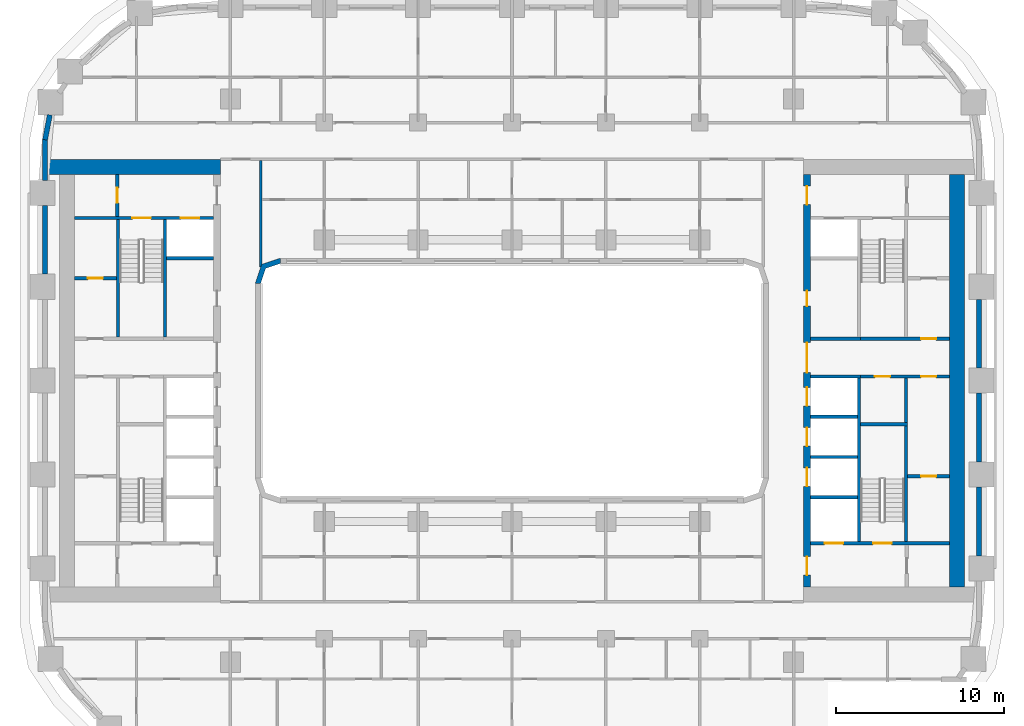
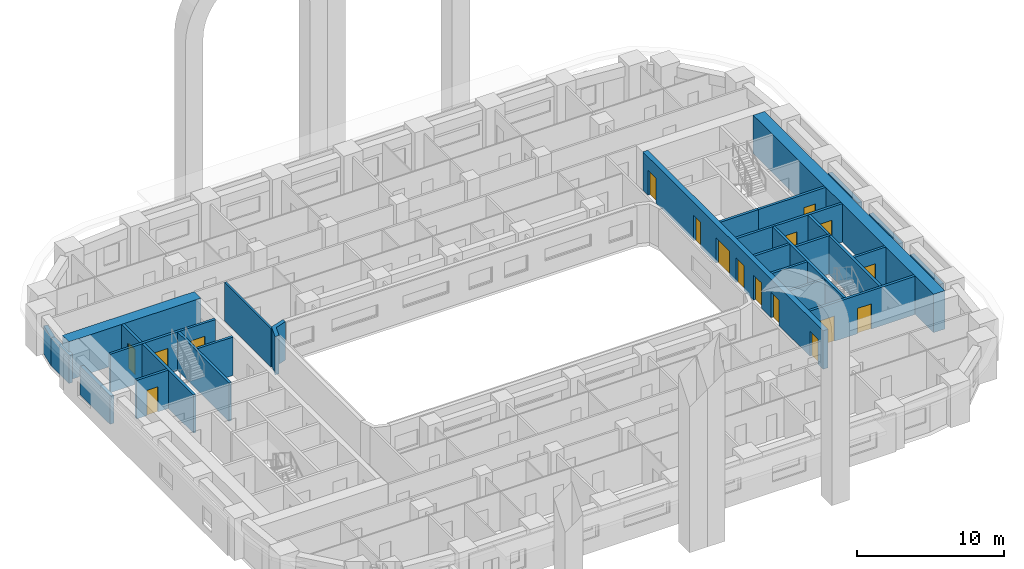
# One storey, part 6 of 21: 30 walls, 17 doors, 17 openings.
"""IFC4 building model written with IfcOpenShell, lengths in metres."""

from ifc_helpers import new_model, si_unit, direction, frame, frame_2d, origin, place, context, subcontext, project, spatial, polyline, rectangle, outline, extrude, material, layer, layer_set, type_object, element, fill, save


model = new_model("IFC4")

# Units and contexts
model_context = context("Model", 3, precision=1e-05, world=origin(), true_north=direction((0.0, 1.0)))
body_context = subcontext(model_context, "Body", "Model", "MODEL_VIEW")
ifc_project = project(units=[si_unit("LENGTHUNIT", "METRE"), si_unit("AREAUNIT", "SQUARE_METRE"), si_unit("VOLUMEUNIT", "CUBIC_METRE"), si_unit("PLANEANGLEUNIT", "RADIAN"), si_unit("MASSUNIT", "GRAM", prefix="KILO")], contexts=[model_context])

# Site, building, storey
site_placement = place(None, origin())
site = spatial("IfcSite", under=ifc_project, at=site_placement, CompositionType="ELEMENT")
building_placement = place(site_placement, origin())
building = spatial("IfcBuilding", under=site, at=building_placement, Name="Kiln Ring Residences", CompositionType="ELEMENT")
storey_placement = place(building_placement, frame((0.0, 0.0, 51.5)))
storey = spatial("IfcBuildingStorey", under=building, at=storey_placement, Name="L12", CompositionType="ELEMENT", Elevation=51.5)

# Wall, opening, door
ifc_material_1 = material(Name="Gypsum board on steel studs", Category="steel")
ifc_layer_1 = layer(ifc_material_1, 0.199951171875)
ifc_layer_set_1 = layer_set([ifc_layer_1], Name="CORE-PARTITION-200")
wall_type_1 = type_object("IfcWallType", Name="CORE-PARTITION-200", PredefinedType="PARTITIONING", material=ifc_layer_set_1)
wall_1_placement = place(storey_placement, frame((-23.550048828125, 9.800048828125, 0.0), z_axis=(0.0, 0.0, 1.0), x_axis=(0.0, 1.0, 0.0)))
wall_1 = element("IfcWall", 1, at=wall_1_placement, inside=storey, type_object=wall_type_1, Name="Core partition west L12 3", PredefinedType="PARTITIONING", context=body_context, shape_type="SweptSolid", body=[
    extrude(rectangle(XDim=2.5, YDim=0.199951171875, at=frame_2d((1.25, 0.0))), origin(), (0.0, 0.0, 1.0), 3.199951171875),
])
opening_1_placement = place(wall_1_placement, frame((0.800048828125, 0.0, 0.0)))
opening_1 = element("IfcOpeningElement", 2, at=opening_1_placement, cuts=wall_1, Name="Opening L12-CW09", PredefinedType="OPENING", context=body_context, shape_type="SweptSolid", body=[
    extrude(rectangle(XDim=0.89990234375, YDim=2.10009765625, at=frame_2d((0.449951171875, 1.050048828125))), frame((0.0, 0.10986328125, 0.0), z_axis=(0.0, -1.0, 0.0), x_axis=(1.0, 0.0, 0.0)), (0.0, 0.0, 1.0), 0.219970703125),
])
ifc_material_2 = material(Name="Steel door leaf", Category="steel")
door_type_1 = type_object("IfcDoorType", Name="CORE-DOOR-ROOM", OperationType="SINGLE_SWING_LEFT", PredefinedType="DOOR", material=ifc_material_2)
door_1_placement = place(opening_1_placement, origin())
door_1 = element("IfcDoor", 3, at=door_1_placement, inside=storey, type_object=door_type_1, Name="Fire riser room L12-CW09", OperationType="SINGLE_SWING_LEFT", OverallHeight=2.10009765625, OverallWidth=0.89990234375, PredefinedType="DOOR", context=body_context, shape_type="SweptSolid", body=[
    extrude(rectangle(XDim=0.89990234375, YDim=2.10009765625, at=frame_2d((0.449951171875, 1.050048828125))), frame((0.0, 0.02490234375, 0.0), z_axis=(0.0, -1.0, 0.0), x_axis=(1.0, 0.0, 0.0)), (0.0, 0.0, 1.0), 0.050048828125),
])
fill(opening_1, door_1)

wall_2_placement = place(storey_placement, frame((-23.60009765625, 6.10009765625, 0.0), z_axis=(0.0, 0.0, 1.0), x_axis=(-1.0, 0.0, 0.0)))
wall_2 = element("IfcWall", 4, at=wall_2_placement, inside=storey, type_object=wall_type_1, Name="Core partition west L12 6", PredefinedType="PARTITIONING", context=body_context, shape_type="SweptSolid", body=[
    extrude(rectangle(XDim=2.5, YDim=0.199951171875, at=frame_2d((1.25, 0.0))), origin(), (0.0, 0.0, 1.0), 3.199951171875),
])
opening_2_placement = place(wall_2_placement, frame((0.800048828125, 0.0, 0.0)))
opening_2 = element("IfcOpeningElement", 5, at=opening_2_placement, cuts=wall_2, Name="Opening L12-CW17", PredefinedType="OPENING", context=body_context, shape_type="SweptSolid", body=[
    extrude(rectangle(XDim=0.89990234375, YDim=2.10009765625, at=frame_2d((0.449951171875, 1.050048828125))), frame((0.0, 0.10986328125, 0.0), z_axis=(0.0, -1.0, 0.0), x_axis=(1.0, 0.0, 0.0)), (0.0, 0.0, 1.0), 0.219970703125),
])
door_2_placement = place(opening_2_placement, origin())
door_2 = element("IfcDoor", 6, at=door_2_placement, inside=storey, type_object=door_type_1, Name="Electrical plant room L12-CW17", OperationType="SINGLE_SWING_RIGHT", OverallHeight=2.10009765625, OverallWidth=0.89990234375, PredefinedType="DOOR", context=body_context, shape_type="SweptSolid", body=[
    extrude(rectangle(XDim=0.89990234375, YDim=2.10009765625, at=frame_2d((0.449951171875, 1.050048828125))), frame((0.0, 0.02490234375, 0.0), z_axis=(0.0, -1.0, 0.0), x_axis=(1.0, 0.0, 0.0)), (0.0, 0.0, 1.0), 0.050048828125),
])
fill(opening_2, door_2)

# Wall
wall_3_placement = place(storey_placement, frame((23.5, -2.5, 0.0), z_axis=(0.0, 0.0, 1.0), x_axis=(0.0, 1.0, 0.0)))
element("IfcWall", 7, at=wall_3_placement, inside=storey, type_object=wall_type_1, Name="Core partition east L12 1", PredefinedType="PARTITIONING", context=body_context, shape_type="SweptSolid", body=[
    extrude(rectangle(XDim=2.64990234375, YDim=0.199951171875, at=frame_2d((1.324951171875, 0.0))), origin(), (0.0, 0.0, 1.0), 3.199951171875),
])

# Wall, openings, doors
wall_4_placement = place(storey_placement, frame((20.800048828125, 0.25, 0.0), z_axis=(0.0, 0.0, 1.0), x_axis=(1.0, 0.0, 0.0)))
wall_4 = element("IfcWall", 8, at=wall_4_placement, inside=storey, type_object=wall_type_1, Name="Core partition east L12 2", PredefinedType="PARTITIONING", context=body_context, shape_type="SweptSolid", body=[
    extrude(rectangle(XDim=5.300048828125, YDim=0.199951171875, at=frame_2d((2.64990234375, 0.0))), origin(), (0.0, 0.0, 1.0), 3.199951171875),
])
opening_3_placement = place(wall_4_placement, frame((0.85009765625, 0.0, 0.0)))
opening_3 = element("IfcOpeningElement", 9, at=opening_3_placement, cuts=wall_4, Name="Opening L12-CE14", PredefinedType="OPENING", context=body_context, shape_type="SweptSolid", body=[
    extrude(rectangle(XDim=0.89990234375, YDim=2.10009765625, at=frame_2d((0.449951171875, 1.050048828125))), frame((0.0, 0.10986328125, 0.0), z_axis=(0.0, -1.0, 0.0), x_axis=(1.0, 0.0, 0.0)), (0.0, 0.0, 1.0), 0.219970703125),
])
opening_4_placement = place(wall_4_placement, frame((3.60009765625, 0.0, 0.0)))
opening_4 = element("IfcOpeningElement", 10, at=opening_4_placement, cuts=wall_4, Name="Opening L12-CE16", PredefinedType="OPENING", context=body_context, shape_type="SweptSolid", body=[
    extrude(rectangle(XDim=0.89990234375, YDim=2.10009765625, at=frame_2d((0.449951171875, 1.050048828125))), frame((0.0, 0.10986328125, 0.0), z_axis=(0.0, -1.0, 0.0), x_axis=(1.0, 0.0, 0.0)), (0.0, 0.0, 1.0), 0.219970703125),
])
door_3_placement = place(opening_3_placement, origin())
door_3 = element("IfcDoor", 11, at=door_3_placement, inside=storey, type_object=door_type_1, Name="Housekeeping store L12-CE14", OperationType="SINGLE_SWING_LEFT", OverallHeight=2.10009765625, OverallWidth=0.89990234375, PredefinedType="DOOR", context=body_context, shape_type="SweptSolid", body=[
    extrude(rectangle(XDim=0.89990234375, YDim=2.10009765625, at=frame_2d((0.449951171875, 1.050048828125))), frame((0.0, 0.02490234375, 0.0), z_axis=(0.0, -1.0, 0.0), x_axis=(1.0, 0.0, 0.0)), (0.0, 0.0, 1.0), 0.050048828125),
])
fill(opening_3, door_3)
door_4_placement = place(opening_4_placement, origin())
door_4 = element("IfcDoor", 12, at=door_4_placement, inside=storey, type_object=door_type_1, Name="Battery room L12-CE16", OperationType="SINGLE_SWING_LEFT", OverallHeight=2.10009765625, OverallWidth=0.89990234375, PredefinedType="DOOR", context=body_context, shape_type="SweptSolid", body=[
    extrude(rectangle(XDim=0.89990234375, YDim=2.10009765625, at=frame_2d((0.449951171875, 1.050048828125))), frame((0.0, 0.02490234375, 0.0), z_axis=(0.0, -1.0, 0.0), x_axis=(1.0, 0.0, 0.0)), (0.0, 0.0, 1.0), 0.050048828125),
])
fill(opening_4, door_4)

# Wall, opening, door
wall_5_placement = place(storey_placement, frame((23.60009765625, -5.699951171875, 0.0), z_axis=(0.0, 0.0, 1.0), x_axis=(1.0, 0.0, 0.0)))
wall_5 = element("IfcWall", 13, at=wall_5_placement, inside=storey, type_object=wall_type_1, Name="Core partition east L12 5", PredefinedType="PARTITIONING", context=body_context, shape_type="SweptSolid", body=[
    extrude(rectangle(XDim=2.5, YDim=0.199951171875, at=frame_2d((1.25, 0.0))), origin(), (0.0, 0.0, 1.0), 3.199951171875),
])
opening_5_placement = place(wall_5_placement, frame((0.800048828125, 0.0, 0.0)))
opening_5 = element("IfcOpeningElement", 14, at=opening_5_placement, cuts=wall_5, Name="Opening L12-CE15", PredefinedType="OPENING", context=body_context, shape_type="SweptSolid", body=[
    extrude(rectangle(XDim=0.89990234375, YDim=2.10009765625, at=frame_2d((0.449951171875, 1.050048828125))), frame((0.0, 0.10986328125, 0.0), z_axis=(0.0, -1.0, 0.0), x_axis=(1.0, 0.0, 0.0)), (0.0, 0.0, 1.0), 0.219970703125),
])
door_5_placement = place(opening_5_placement, origin())
door_5 = element("IfcDoor", 15, at=door_5_placement, inside=storey, type_object=door_type_1, Name="Battery room L12-CE15", OperationType="SINGLE_SWING_LEFT", OverallHeight=2.10009765625, OverallWidth=0.89990234375, PredefinedType="DOOR", context=body_context, shape_type="SweptSolid", body=[
    extrude(rectangle(XDim=0.89990234375, YDim=2.10009765625, at=frame_2d((0.449951171875, 1.050048828125))), frame((0.0, 0.02490234375, 0.0), z_axis=(0.0, -1.0, 0.0), x_axis=(1.0, 0.0, 0.0)), (0.0, 0.0, 1.0), 0.050048828125),
])
fill(opening_5, door_5)

# Walls
ifc_material_3 = material(Name="Gypsum shaft wall system")
ifc_layer_2 = layer(ifc_material_3, 0.199951171875)
ifc_layer_set_2 = layer_set([ifc_layer_2], Name="CORE-SHAFT-WALL-200")
wall_type_2 = type_object("IfcWallType", Name="CORE-SHAFT-WALL-200", PredefinedType="PARTITIONING", material=ifc_layer_set_2)
for number, where, z_axis, x_axis, name in (
    (16, (-17.800048828125, 7.300048828125, 0.0), (0.0, 0.0, 1.0), (-1.0, 0.0, 0.0), "Core partition west L12 12"),
    (17, (17.800048828125, -6.949951171875, 0.0), (0.0, 0.0, 1.0), (1.0, 0.0, 0.0), "Core partition east L12 7"),
    (18, (17.800048828125, -4.550048828125, 0.0), (0.0, 0.0, 1.0), (1.0, 0.0, 0.0), "Core partition east L12 8"),
    (19, (17.800048828125, -2.14990234375, 0.0), (0.0, 0.0, 1.0), (1.0, 0.0, 0.0), "Core partition east L12 9"),
):
    element("IfcWall", number, at=place(storey_placement, frame(where, z_axis=z_axis, x_axis=x_axis)), inside=storey, type_object=wall_type_2, Name=name, PredefinedType="PARTITIONING", context=body_context, shape_type="SweptSolid", body=[
        extrude(rectangle(XDim=2.800048828125, YDim=0.199951171875, at=frame_2d((1.39990234375, 0.0))), origin(), (0.0, 0.0, 1.0), 3.199951171875),
    ])
for number, where, z_axis, x_axis, name in (
    (20, (17.800048828125, 0.25, 0.0), (0.0, 0.0, 1.0), (1.0, 0.0, 0.0), "Core partition east L12 10"),
    (21, (17.800048828125, 2.5, 0.0), (0.0, 0.0, 1.0), (1.0, 0.0, 0.0), "Core partition east L12 11"),
):
    element("IfcWall", number, at=place(storey_placement, frame(where, z_axis=z_axis, x_axis=x_axis)), inside=storey, type_object=wall_type_2, Name=name, PredefinedType="PARTITIONING", context=body_context, shape_type="SweptSolid", body=[
        extrude(rectangle(XDim=3.0, YDim=0.199951171875, at=frame_2d((1.5, 0.0))), origin(), (0.0, 0.0, 1.0), 3.199951171875),
    ])
ifc_material_4 = material(Name="Concrete C40/50", Category="concrete")
ifc_layer_3 = layer(ifc_material_4, 0.199951171875)
ifc_layer_set_3 = layer_set([ifc_layer_3], Name="CORE-WALL-RC200")
wall_type_3 = type_object("IfcWallType", Name="CORE-WALL-RC200", PredefinedType="SHEAR", material=ifc_layer_set_3)
wall_6_placement = place(storey_placement, frame((-20.699951171875, 2.60009765625, 0.0), z_axis=(0.0, 0.0, 1.0), x_axis=(0.0, 1.0, 0.0)))
element("IfcWall", 22, at=wall_6_placement, inside=storey, type_object=wall_type_3, Name="Core wall west L12 1", PredefinedType="SHEAR", context=body_context, shape_type="SweptSolid", body=[
    extrude(rectangle(XDim=7.0, YDim=0.199951171875, at=frame_2d((3.5, 0.0))), origin(), (0.0, 0.0, 1.0), 3.199951171875),
])

# Wall, openings, doors
wall_7_placement = place(storey_placement, frame((-17.800048828125, 9.699951171875, 0.0), z_axis=(0.0, 0.0, 1.0), x_axis=(-1.0, 0.0, 0.0)))
wall_7 = element("IfcWall", 23, at=wall_7_placement, inside=storey, type_object=wall_type_3, Name="Core wall west L12 9", PredefinedType="SHEAR", context=body_context, shape_type="SweptSolid", body=[
    extrude(rectangle(XDim=8.300048828125, YDim=0.199951171875, at=frame_2d((4.14990234375, 0.0))), origin(), (0.0, 0.0, 1.0), 3.199951171875),
])
opening_6_placement = place(wall_7_placement, frame((0.85009765625, 0.0, 0.0)))
opening_6 = element("IfcOpeningElement", 24, at=opening_6_placement, cuts=wall_7, Name="Opening L12-CW06", PredefinedType="OPENING", context=body_context, shape_type="SweptSolid", body=[
    extrude(rectangle(XDim=1.10009765625, YDim=2.10009765625, at=frame_2d((0.550048828125, 1.050048828125))), frame((0.0, 0.10986328125, 0.0), z_axis=(0.0, -1.0, 0.0), x_axis=(1.0, 0.0, 0.0)), (0.0, 0.0, 1.0), 0.219970703125),
])
opening_7_placement = place(wall_7_placement, frame((3.75, 0.0, 0.0)))
opening_7 = element("IfcOpeningElement", 25, at=opening_7_placement, cuts=wall_7, Name="Opening L12-CW11", PredefinedType="OPENING", context=body_context, shape_type="SweptSolid", body=[
    extrude(rectangle(XDim=1.10009765625, YDim=2.10009765625, at=frame_2d((0.550048828125, 1.050048828125))), frame((0.0, 0.10986328125, 0.0), z_axis=(0.0, -1.0, 0.0), x_axis=(1.0, 0.0, 0.0)), (0.0, 0.0, 1.0), 0.219970703125),
])
ifc_material_5 = material(Name="Steel door leaf", Category="steel")
door_type_2 = type_object("IfcDoorType", Name="CORE-DOOR-LD", OperationType="DOUBLE_DOOR_SLIDING", PredefinedType="DOOR", material=ifc_material_5)
door_6_placement = place(opening_6_placement, origin())
door_6 = element("IfcDoor", 26, at=door_6_placement, inside=storey, type_object=door_type_2, Name="LD W-FF L12-CW06", OperationType="DOUBLE_DOOR_SLIDING", OverallHeight=2.10009765625, OverallWidth=1.10009765625, PredefinedType="DOOR", context=body_context, shape_type="SweptSolid", body=[
    extrude(rectangle(XDim=1.10009765625, YDim=2.10009765625, at=frame_2d((0.550048828125, 1.050048828125))), frame((0.0, 0.02490234375, 0.0), z_axis=(0.0, -1.0, 0.0), x_axis=(1.0, 0.0, 0.0)), (0.0, 0.0, 1.0), 0.050048828125),
])
fill(opening_6, door_6)
ifc_material_6 = material(Name="Steel door leaf", Category="steel")
door_type_3 = type_object("IfcDoorType", Name="CORE-DOOR-STAIR", OperationType="SINGLE_SWING_LEFT", PredefinedType="DOOR", material=ifc_material_6)
door_7_placement = place(opening_7_placement, origin())
door_7 = element("IfcDoor", 27, at=door_7_placement, inside=storey, type_object=door_type_3, Name="Stair W-STN L12-CW11", OperationType="SINGLE_SWING_LEFT", OverallHeight=2.10009765625, OverallWidth=1.10009765625, PredefinedType="DOOR", context=body_context, shape_type="SweptSolid", body=[
    extrude(rectangle(XDim=1.10009765625, YDim=2.10009765625, at=frame_2d((0.550048828125, 1.050048828125))), frame((0.0, 0.02490234375, 0.0), z_axis=(0.0, -1.0, 0.0), x_axis=(1.0, 0.0, 0.0)), (0.0, 0.0, 1.0), 0.050048828125),
])
fill(opening_7, door_7)

# Walls
wall_8_placement = place(storey_placement, frame((-23.5, 2.60009765625, 0.0), z_axis=(0.0, 0.0, 1.0), x_axis=(0.0, 1.0, 0.0)))
element("IfcWall", 28, at=wall_8_placement, inside=storey, type_object=wall_type_3, Name="Core wall west L12 10", PredefinedType="SHEAR", context=body_context, shape_type="SweptSolid", body=[
    extrude(rectangle(XDim=7.0, YDim=0.199951171875, at=frame_2d((3.5, 0.0))), origin(), (0.0, 0.0, 1.0), 3.199951171875),
])
wall_9_placement = place(storey_placement, frame((20.699951171875, -9.60009765625, 0.0), z_axis=(0.0, 0.0, 1.0), x_axis=(0.0, 1.0, 0.0)))
element("IfcWall", 29, at=wall_9_placement, inside=storey, type_object=wall_type_3, Name="Core wall east L12 2", PredefinedType="SHEAR", context=body_context, shape_type="SweptSolid", body=[
    extrude(rectangle(XDim=9.75, YDim=0.199951171875, at=frame_2d((4.875, 0.0))), origin(), (0.0, 0.0, 1.0), 3.199951171875),
])

# Wall, opening, door
wall_10_placement = place(storey_placement, frame((20.800048828125, 2.5, 0.0), z_axis=(0.0, 0.0, 1.0), x_axis=(1.0, 0.0, 0.0)))
wall_10 = element("IfcWall", 30, at=wall_10_placement, inside=storey, type_object=wall_type_3, Name="Core wall east L12 3", PredefinedType="SHEAR", context=body_context, shape_type="SweptSolid", body=[
    extrude(rectangle(XDim=5.300048828125, YDim=0.199951171875, at=frame_2d((2.64990234375, 0.0))), origin(), (0.0, 0.0, 1.0), 3.199951171875),
])
opening_8_placement = place(wall_10_placement, frame((3.60009765625, 0.0, 0.0)))
opening_8 = element("IfcOpeningElement", 31, at=opening_8_placement, cuts=wall_10, Name="Opening L12-CE18", PredefinedType="OPENING", context=body_context, shape_type="SweptSolid", body=[
    extrude(rectangle(XDim=0.89990234375, YDim=2.10009765625, at=frame_2d((0.449951171875, 1.050048828125))), frame((0.0, 0.10986328125, 0.0), z_axis=(0.0, -1.0, 0.0), x_axis=(1.0, 0.0, 0.0)), (0.0, 0.0, 1.0), 0.219970703125),
])
door_8_placement = place(opening_8_placement, origin())
door_8 = element("IfcDoor", 32, at=door_8_placement, inside=storey, type_object=door_type_1, Name="Comms room L12-CE18", OperationType="SINGLE_SWING_RIGHT", OverallHeight=2.10009765625, OverallWidth=0.89990234375, PredefinedType="DOOR", context=body_context, shape_type="SweptSolid", body=[
    extrude(rectangle(XDim=0.89990234375, YDim=2.10009765625, at=frame_2d((0.449951171875, 1.050048828125))), frame((0.0, 0.02490234375, 0.0), z_axis=(0.0, -1.0, 0.0), x_axis=(1.0, 0.0, 0.0)), (0.0, 0.0, 1.0), 0.050048828125),
])
fill(opening_8, door_8)

# Wall, openings, doors
wall_11_placement = place(storey_placement, frame((17.800048828125, -9.699951171875, 0.0), z_axis=(0.0, 0.0, 1.0), x_axis=(1.0, 0.0, 0.0)))
wall_11 = element("IfcWall", 33, at=wall_11_placement, inside=storey, type_object=wall_type_3, Name="Core wall east L12 8", PredefinedType="SHEAR", context=body_context, shape_type="SweptSolid", body=[
    extrude(rectangle(XDim=8.300048828125, YDim=0.199951171875, at=frame_2d((4.14990234375, 0.0))), origin(), (0.0, 0.0, 1.0), 3.199951171875),
])
opening_9_placement = place(wall_11_placement, frame((0.85009765625, 0.0, 0.0)))
opening_9 = element("IfcOpeningElement", 34, at=opening_9_placement, cuts=wall_11, Name="Opening L12-CE01", PredefinedType="OPENING", context=body_context, shape_type="SweptSolid", body=[
    extrude(rectangle(XDim=1.10009765625, YDim=2.10009765625, at=frame_2d((0.550048828125, 1.050048828125))), frame((0.0, 0.10986328125, 0.0), z_axis=(0.0, -1.0, 0.0), x_axis=(1.0, 0.0, 0.0)), (0.0, 0.0, 1.0), 0.219970703125),
])
opening_10_placement = place(wall_11_placement, frame((3.75, 0.0, 0.0)))
opening_10 = element("IfcOpeningElement", 35, at=opening_10_placement, cuts=wall_11, Name="Opening L12-CE12", PredefinedType="OPENING", context=body_context, shape_type="SweptSolid", body=[
    extrude(rectangle(XDim=1.10009765625, YDim=2.10009765625, at=frame_2d((0.550048828125, 1.050048828125))), frame((0.0, 0.10986328125, 0.0), z_axis=(0.0, -1.0, 0.0), x_axis=(1.0, 0.0, 0.0)), (0.0, 0.0, 1.0), 0.219970703125),
])
door_9_placement = place(opening_9_placement, origin())
door_9 = element("IfcDoor", 36, at=door_9_placement, inside=storey, type_object=door_type_2, Name="LD E-SV L12-CE01", OperationType="DOUBLE_DOOR_SLIDING", OverallHeight=2.10009765625, OverallWidth=1.10009765625, PredefinedType="DOOR", context=body_context, shape_type="SweptSolid", body=[
    extrude(rectangle(XDim=1.10009765625, YDim=2.10009765625, at=frame_2d((0.550048828125, 1.050048828125))), frame((0.0, 0.02490234375, 0.0), z_axis=(0.0, -1.0, 0.0), x_axis=(1.0, 0.0, 0.0)), (0.0, 0.0, 1.0), 0.050048828125),
])
fill(opening_9, door_9)
door_10_placement = place(opening_10_placement, origin())
door_10 = element("IfcDoor", 37, at=door_10_placement, inside=storey, type_object=door_type_3, Name="Stair E-STS L12-CE12", OperationType="SINGLE_SWING_RIGHT", OverallHeight=2.10009765625, OverallWidth=1.10009765625, PredefinedType="DOOR", context=body_context, shape_type="SweptSolid", body=[
    extrude(rectangle(XDim=1.10009765625, YDim=2.10009765625, at=frame_2d((0.550048828125, 1.050048828125))), frame((0.0, 0.02490234375, 0.0), z_axis=(0.0, -1.0, 0.0), x_axis=(1.0, 0.0, 0.0)), (0.0, 0.0, 1.0), 0.050048828125),
])
fill(opening_10, door_10)

# Walls
wall_12_placement = place(storey_placement, frame((23.5, -9.60009765625, 0.0), z_axis=(0.0, 0.0, 1.0), x_axis=(0.0, 1.0, 0.0)))
element("IfcWall", 38, at=wall_12_placement, inside=storey, type_object=wall_type_3, Name="Core wall east L12 11", PredefinedType="SHEAR", context=body_context, shape_type="SweptSolid", body=[
    extrude(rectangle(XDim=6.900146484375, YDim=0.199951171875, at=frame_2d((3.4501953125, 0.0))), origin(), (0.0, 0.0, 1.0), 3.199951171875),
])
wall_13_placement = place(storey_placement, frame((20.800048828125, -2.60009765625, 0.0), z_axis=(0.0, 0.0, 1.0), x_axis=(1.0, 0.0, 0.0)))
element("IfcWall", 39, at=wall_13_placement, inside=storey, type_object=wall_type_3, Name="Core wall east L12 12", PredefinedType="SHEAR", context=body_context, shape_type="SweptSolid", body=[
    extrude(rectangle(XDim=2.800048828125, YDim=0.199951171875, at=frame_2d((1.39990234375, 0.0))), origin(), (0.0, 0.0, 1.0), 3.199951171875),
])

# Wall, openings, doors
ifc_material_7 = material(Name="Concrete C60/75", Category="concrete")
ifc_layer_4 = layer(ifc_material_7, 0.39990234375)
ifc_layer_set_4 = layer_set([ifc_layer_4], Name="CORE-WALL-RC400")
wall_type_4 = type_object("IfcWallType", Name="CORE-WALL-RC400", PredefinedType="SHEAR", material=ifc_layer_set_4)
wall_14_placement = place(storey_placement, frame((17.60009765625, -12.300048828125, 0.0), z_axis=(0.0, 0.0, 1.0), x_axis=(0.0, 1.0, 0.0)))
wall_14 = element("IfcWall", 40, at=wall_14_placement, inside=storey, type_object=wall_type_4, Name="Core wall east L12 6", PredefinedType="SHEAR", context=body_context, shape_type="SweptSolid", body=[
    extrude(rectangle(XDim=24.60009765625, YDim=0.39990234375, at=frame_2d((12.300048828125, 0.0))), origin(), (0.0, 0.0, 1.0), 3.199951171875),
])
opening_11_placement = place(wall_14_placement, frame((6.0, 0.0, 0.0)))
opening_11 = element("IfcOpeningElement", 41, at=opening_11_placement, cuts=wall_14, Name="Opening L12-CE02", PredefinedType="OPENING", context=body_context, shape_type="SweptSolid", body=[
    extrude(rectangle(XDim=1.10009765625, YDim=2.10009765625, at=frame_2d((0.550048828125, 1.050048828125))), frame((0.0, 0.2099609375, 0.0), z_axis=(0.0, -1.0, 0.0), x_axis=(1.0, 0.0, 0.0)), (0.0, 0.0, 1.0), 0.419921875),
])
opening_12_placement = place(wall_14_placement, frame((8.39990234375, 0.0, 0.0)))
opening_12 = element("IfcOpeningElement", 42, at=opening_12_placement, cuts=wall_14, Name="Opening L12-CE03", PredefinedType="OPENING", context=body_context, shape_type="SweptSolid", body=[
    extrude(rectangle(XDim=1.10009765625, YDim=2.10009765625, at=frame_2d((0.550048828125, 1.050048828125))), frame((0.0, 0.2099609375, 0.0), z_axis=(0.0, -1.0, 0.0), x_axis=(1.0, 0.0, 0.0)), (0.0, 0.0, 1.0), 0.419921875),
])
opening_13_placement = place(wall_14_placement, frame((10.800048828125, 0.0, 0.0)))
opening_13 = element("IfcOpeningElement", 43, at=opening_13_placement, cuts=wall_14, Name="Opening L12-CE04", PredefinedType="OPENING", context=body_context, shape_type="SweptSolid", body=[
    extrude(rectangle(XDim=1.10009765625, YDim=2.10009765625, at=frame_2d((0.550048828125, 1.050048828125))), frame((0.0, 0.2099609375, 0.0), z_axis=(0.0, -1.0, 0.0), x_axis=(1.0, 0.0, 0.0)), (0.0, 0.0, 1.0), 0.419921875),
])
opening_14_placement = place(wall_14_placement, frame((16.75, 0.0, 0.0)))
opening_14 = element("IfcOpeningElement", 44, at=opening_14_placement, cuts=wall_14, Name="Opening L12-CE05", PredefinedType="OPENING", context=body_context, shape_type="SweptSolid", body=[
    extrude(rectangle(XDim=0.89990234375, YDim=2.10009765625, at=frame_2d((0.449951171875, 1.050048828125))), frame((0.0, 0.2099609375, 0.0), z_axis=(0.0, -1.0, 0.0), x_axis=(1.0, 0.0, 0.0)), (0.0, 0.0, 1.0), 0.419921875),
])
opening_15_placement = place(wall_14_placement, frame((22.800048828125, 0.0, 0.0)))
opening_15 = element("IfcOpeningElement", 45, at=opening_15_placement, cuts=wall_14, Name="Opening L12-CE07", PredefinedType="OPENING", context=body_context, shape_type="SweptSolid", body=[
    extrude(rectangle(XDim=1.10009765625, YDim=2.10009765625, at=frame_2d((0.550048828125, 1.050048828125))), frame((0.0, 0.2099609375, 0.0), z_axis=(0.0, -1.0, 0.0), x_axis=(1.0, 0.0, 0.0)), (0.0, 0.0, 1.0), 0.419921875),
])
opening_16_placement = place(wall_14_placement, frame((0.699951171875, 0.0, 0.0)))
opening_16 = element("IfcOpeningElement", 46, at=opening_16_placement, cuts=wall_14, Name="Opening L12-CE08", PredefinedType="OPENING", context=body_context, shape_type="SweptSolid", body=[
    extrude(rectangle(XDim=1.10009765625, YDim=2.10009765625, at=frame_2d((0.550048828125, 1.050048828125))), frame((0.0, 0.2099609375, 0.0), z_axis=(0.0, -1.0, 0.0), x_axis=(1.0, 0.0, 0.0)), (0.0, 0.0, 1.0), 0.419921875),
])
opening_17_placement = place(wall_14_placement, frame((12.77490234375, 0.0, 0.0)))
opening_17 = element("IfcOpeningElement", 47, at=opening_17_placement, cuts=wall_14, Name="Opening L12-CE13", PredefinedType="OPENING", context=body_context, shape_type="SweptSolid", body=[
    extrude(rectangle(XDim=1.800048828125, YDim=2.10009765625, at=frame_2d((0.89990234375, 1.050048828125))), frame((0.0, 0.2099609375, 0.0), z_axis=(0.0, -1.0, 0.0), x_axis=(1.0, 0.0, 0.0)), (0.0, 0.0, 1.0), 0.419921875),
])
door_11_placement = place(opening_11_placement, origin())
door_11 = element("IfcDoor", 48, at=door_11_placement, inside=storey, type_object=door_type_2, Name="LD E-L1 L12-CE02", OperationType="DOUBLE_DOOR_SLIDING", OverallHeight=2.10009765625, OverallWidth=1.10009765625, PredefinedType="DOOR", context=body_context, shape_type="SweptSolid", body=[
    extrude(rectangle(XDim=1.10009765625, YDim=2.10009765625, at=frame_2d((0.550048828125, 1.050048828125))), frame((0.0, 0.02490234375, 0.0), z_axis=(0.0, -1.0, 0.0), x_axis=(1.0, 0.0, 0.0)), (0.0, 0.0, 1.0), 0.050048828125),
])
fill(opening_11, door_11)
door_12_placement = place(opening_12_placement, origin())
door_12 = element("IfcDoor", 49, at=door_12_placement, inside=storey, type_object=door_type_2, Name="LD E-L2 L12-CE03", OperationType="DOUBLE_DOOR_SLIDING", OverallHeight=2.10009765625, OverallWidth=1.10009765625, PredefinedType="DOOR", context=body_context, shape_type="SweptSolid", body=[
    extrude(rectangle(XDim=1.10009765625, YDim=2.10009765625, at=frame_2d((0.550048828125, 1.050048828125))), frame((0.0, 0.02490234375, 0.0), z_axis=(0.0, -1.0, 0.0), x_axis=(1.0, 0.0, 0.0)), (0.0, 0.0, 1.0), 0.050048828125),
])
fill(opening_12, door_12)
door_13_placement = place(opening_13_placement, origin())
door_13 = element("IfcDoor", 50, at=door_13_placement, inside=storey, type_object=door_type_2, Name="LD E-L3 L12-CE04", OperationType="DOUBLE_DOOR_SLIDING", OverallHeight=2.10009765625, OverallWidth=1.10009765625, PredefinedType="DOOR", context=body_context, shape_type="SweptSolid", body=[
    extrude(rectangle(XDim=1.10009765625, YDim=2.10009765625, at=frame_2d((0.550048828125, 1.050048828125))), frame((0.0, 0.02490234375, 0.0), z_axis=(0.0, -1.0, 0.0), x_axis=(1.0, 0.0, 0.0)), (0.0, 0.0, 1.0), 0.050048828125),
])
fill(opening_13, door_13)
ifc_material_8 = material(Name="Steel door leaf", Category="steel")
door_type_4 = type_object("IfcDoorType", Name="CORE-DOOR-LOBBY", OperationType="SINGLE_SWING_LEFT", PredefinedType="DOOR", material=ifc_material_8)
door_14_placement = place(opening_15_placement, origin())
door_14 = element("IfcDoor", 51, at=door_14_placement, inside=storey, type_object=door_type_4, Name="FFL L12-CE07", OperationType="SINGLE_SWING_LEFT", OverallHeight=2.10009765625, OverallWidth=1.10009765625, PredefinedType="DOOR", context=body_context, shape_type="SweptSolid", body=[
    extrude(rectangle(XDim=1.10009765625, YDim=2.10009765625, at=frame_2d((0.550048828125, 1.050048828125))), frame((0.0, 0.02490234375, 0.0), z_axis=(0.0, -1.0, 0.0), x_axis=(1.0, 0.0, 0.0)), (0.0, 0.0, 1.0), 0.050048828125),
])
fill(opening_15, door_14)
door_15_placement = place(opening_16_placement, origin())
door_15 = element("IfcDoor", 52, at=door_15_placement, inside=storey, type_object=door_type_4, Name="SVL L12-CE08", OperationType="SINGLE_SWING_RIGHT", OverallHeight=2.10009765625, OverallWidth=1.10009765625, PredefinedType="DOOR", context=body_context, shape_type="SweptSolid", body=[
    extrude(rectangle(XDim=1.10009765625, YDim=2.10009765625, at=frame_2d((0.550048828125, 1.050048828125))), frame((0.0, 0.02490234375, 0.0), z_axis=(0.0, -1.0, 0.0), x_axis=(1.0, 0.0, 0.0)), (0.0, 0.0, 1.0), 0.050048828125),
])
fill(opening_16, door_15)
ifc_material_9 = material(Name="Steel door leaf", Category="steel")
door_type_5 = type_object("IfcDoorType", Name="CORE-DOOR-PASS", OperationType="DOUBLE_DOOR_SINGLE_SWING", PredefinedType="DOOR", material=ifc_material_9)
door_16_placement = place(opening_17_placement, origin())
door_16 = element("IfcDoor", 53, at=door_16_placement, inside=storey, type_object=door_type_5, Name="Core passage L12-CE13", OperationType="DOUBLE_DOOR_SINGLE_SWING", OverallHeight=2.10009765625, OverallWidth=1.800048828125, PredefinedType="DOOR", context=body_context, shape_type="SweptSolid", body=[
    extrude(rectangle(XDim=1.800048828125, YDim=2.10009765625, at=frame_2d((0.89990234375, 1.050048828125))), frame((0.0, 0.02490234375, 0.0), z_axis=(0.0, -1.0, 0.0), x_axis=(1.0, 0.0, 0.0)), (0.0, 0.0, 1.0), 0.050048828125),
])
fill(opening_17, door_16)
door_17_placement = place(opening_14_placement, origin())
door_17 = element("IfcDoor", 54, at=door_17_placement, inside=storey, type_object=door_type_1, Name="Locker store L12-CE05", OperationType="SINGLE_SWING_RIGHT", OverallHeight=2.10009765625, OverallWidth=0.89990234375, PredefinedType="DOOR", context=body_context, shape_type="SweptSolid", body=[
    extrude(rectangle(XDim=0.89990234375, YDim=2.10009765625, at=frame_2d((0.449951171875, 1.050048828125))), frame((0.0, 0.02490234375, 0.0), z_axis=(0.0, -1.0, 0.0), x_axis=(1.0, 0.0, 0.0)), (0.0, 0.0, 1.0), 0.050048828125),
])
fill(opening_14, door_17)

# Walls
ifc_material_10 = material(Name="Concrete C60/75", Category="concrete")
ifc_layer_5 = layer(ifc_material_10, 0.89990234375)
ifc_layer_set_5 = layer_set([ifc_layer_5], Name="CORE-WALL-RC900")
wall_type_5 = type_object("IfcWallType", Name="CORE-WALL-RC900", PredefinedType="SHEAR", material=ifc_layer_set_5)
wall_15_placement = place(storey_placement, frame((-17.39990234375, 12.75, 0.0), z_axis=(0.0, 0.0, 1.0), x_axis=(-1.0, 0.0, 0.0)))
element("IfcWall", 55, at=wall_15_placement, inside=storey, type_object=wall_type_5, Name="Core wall west L12 4", PredefinedType="SHEAR", context=body_context, shape_type="SweptSolid", body=[
    extrude(rectangle(XDim=10.400146484375, YDim=0.89990234375, at=frame_2d((5.2001953125, 0.0))), origin(), (0.0, 0.0, 1.0), 3.199951171875),
])
wall_16_placement = place(storey_placement, frame((26.550048828125, -12.300048828125, 0.0), z_axis=(0.0, 0.0, 1.0), x_axis=(0.0, 1.0, 0.0)))
element("IfcWall", 56, at=wall_16_placement, inside=storey, type_object=wall_type_5, Name="Core wall east L12 7", PredefinedType="SHEAR", context=body_context, shape_type="SweptSolid", body=[
    extrude(rectangle(XDim=24.60009765625, YDim=0.89990234375, at=frame_2d((12.300048828125, 0.0))), origin(), (0.0, 0.0, 1.0), 3.199951171875),
])
ifc_material_11 = material(Name="Brick masonry, dark clay brick", Category="masonry")
ifc_layer_6 = layer(ifc_material_11, 0.300048828125)
ifc_layer_set_6 = layer_set([ifc_layer_6], Name="EW-300 BRICK WALL")
wall_type_6 = type_object("IfcWallType", Name="EW-300 BRICK WALL", PredefinedType="SOLIDWALL", material=ifc_layer_set_6)
wall_17_placement = place(storey_placement, frame((27.85009765625, -10.449951171875, 0.0), z_axis=(0.0, 0.0, 1.0), x_axis=(0.0, 1.0, 0.0)))
element("IfcWall", 57, at=wall_17_placement, inside=storey, type_object=wall_type_6, Name="Facade wall L12 18", PredefinedType="SOLIDWALL", context=body_context, shape_type="SweptSolid", body=[
    extrude(rectangle(XDim=4.099853515625, YDim=0.300048828125, at=frame_2d((2.0498046875, 0.0))), origin(), (0.0, 0.0, 1.0), 2.35009765625),
])
for number, where, z_axis, x_axis, name in (
    (58, (27.85009765625, -4.85009765625, 0.0), (0.0, 0.0, 1.0), (0.0, 1.0, 0.0), "Facade wall L12 19"),
    (59, (27.85009765625, 0.75, 0.0), (0.0, 0.0, 1.0), (0.0, 1.0, 0.0), "Facade wall L12 20"),
):
    element("IfcWall", number, at=place(storey_placement, frame(where, z_axis=z_axis, x_axis=x_axis)), inside=storey, type_object=wall_type_6, Name=name, PredefinedType="SOLIDWALL", context=body_context, shape_type="SweptSolid", body=[
        extrude(rectangle(XDim=4.10009765625, YDim=0.300048828125, at=frame_2d((2.050048828125, 0.0))), origin(), (0.0, 0.0, 1.0), 2.35009765625),
    ])
wall_18_placement = place(storey_placement, frame((-27.570556640625, 15.851318359375, 0.0), z_axis=(0.0, 0.0, 1.0), x_axis=(-0.187223837635, -0.982317277982, 0.0)))
element("IfcWall", 60, at=wall_18_placement, inside=storey, type_object=wall_type_6, Name="Facade wall L12 40", PredefinedType="SOLIDWALL", context=body_context, shape_type="SweptSolid", body=[
    extrude(rectangle(XDim=1.506103515625, YDim=0.300048828125, at=frame_2d((0.7529296875, 0.0))), origin(), (0.0, 0.0, 1.0), 2.35009765625),
])
wall_19_placement = place(storey_placement, frame((-27.85009765625, 14.39990234375, 0.0), z_axis=(0.0, 0.0, 1.0), x_axis=(0.0, -1.0, 0.0)))
element("IfcWall", 61, at=wall_19_placement, inside=storey, type_object=wall_type_6, Name="Facade wall L12 41", PredefinedType="SOLIDWALL", context=body_context, shape_type="SweptSolid", body=[
    extrude(rectangle(XDim=2.449951171875, YDim=0.300048828125, at=frame_2d((1.22509765625, 0.0))), origin(), (0.0, 0.0, 1.0), 2.35009765625),
])
wall_20_placement = place(storey_placement, frame((-27.85009765625, 10.449951171875, 0.0), z_axis=(0.0, 0.0, 1.0), x_axis=(0.0, -1.0, 0.0)))
element("IfcWall", 62, at=wall_20_placement, inside=storey, type_object=wall_type_6, Name="Facade wall L12 42", PredefinedType="SOLIDWALL", context=body_context, shape_type="SweptSolid", body=[
    extrude(rectangle(XDim=4.099853515625, YDim=0.300048828125, at=frame_2d((2.0498046875, 0.0))), origin(), (0.0, 0.0, 1.0), 2.35009765625),
])
wall_21_placement = place(storey_placement, origin())
element("IfcWall", 63, at=wall_21_placement, inside=storey, type_object=wall_type_6, Name="Corner wall L12 1", PredefinedType="SOLIDWALL", context=body_context, shape_type="SweptSolid", body=[
    extrude(outline(polyline([(-13.8486328125, 7.300048828125), (-14.937255859375, 6.937255859375), (-15.300048828125, 5.8486328125), (-15.300048828125, 5.800048828125), (-15.0, 5.800048828125), (-14.699951171875, 6.699951171875), (-13.800048828125, 7.0), (-13.800048828125, 7.300048828125), (-13.8486328125, 7.300048828125)])), origin(), (0.0, 0.0, 1.0), 3.199951171875),
])
ifc_material_12 = material(Name="Brick masonry partition", Category="masonry")
ifc_layer_7 = layer(ifc_material_12, 0.14990234375)
ifc_layer_set_7 = layer_set([ifc_layer_7], Name="PARTITION-150-ei60")
wall_type_7 = type_object("IfcWallType", Name="PARTITION-150-ei60", PredefinedType="PARTITIONING", material=ifc_layer_set_7)
wall_22_placement = place(storey_placement, frame((-15.0, 6.768798828125, 0.0), z_axis=(0.0, 0.0, 1.0), x_axis=(0.0, 1.0, 0.0)))
element("IfcWall", 64, at=wall_22_placement, inside=storey, type_object=wall_type_7, Name="Partition 017", PredefinedType="PARTITIONING", context=body_context, shape_type="SweptSolid", body=[
    extrude(rectangle(XDim=6.356201171875, YDim=0.14990234375, at=frame_2d((3.17822265625, 0.0))), origin(), (0.0, 0.0, 1.0), 3.199951171875),
])

save(model, "model.ifc")
